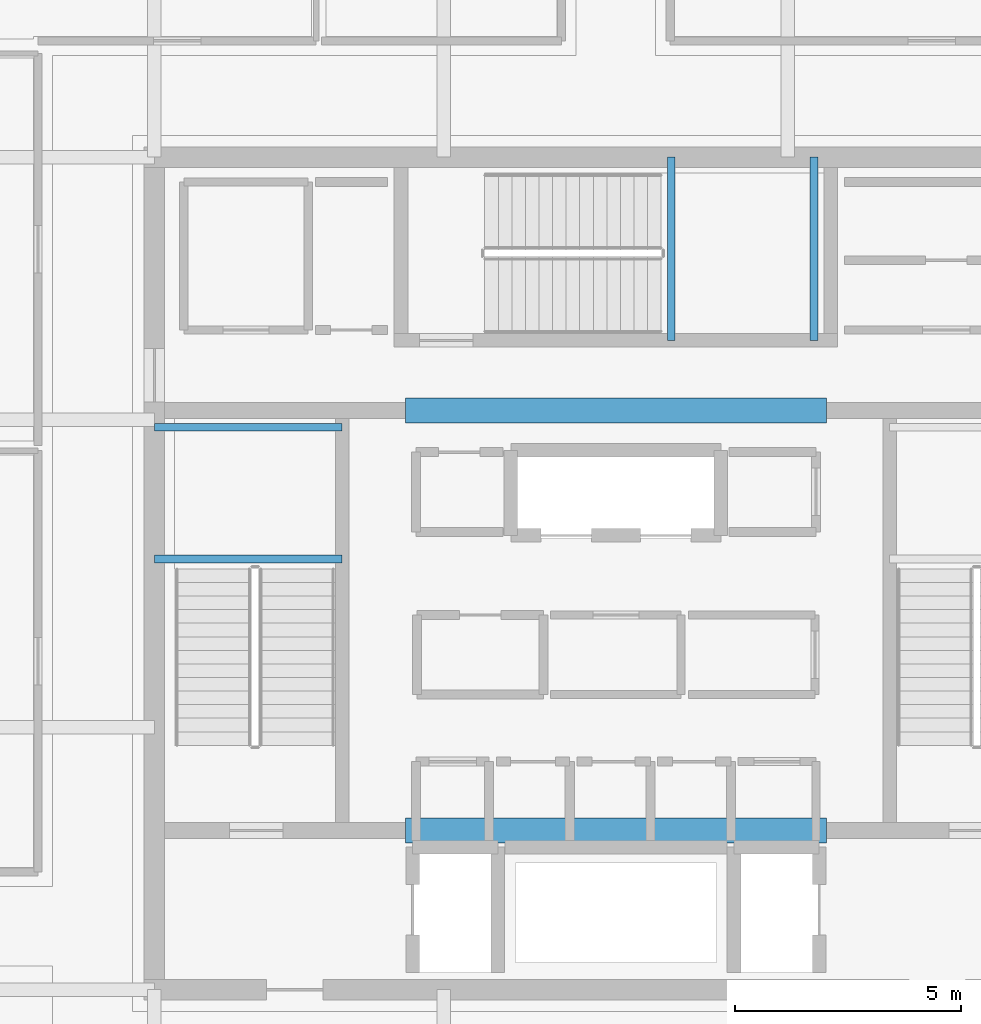
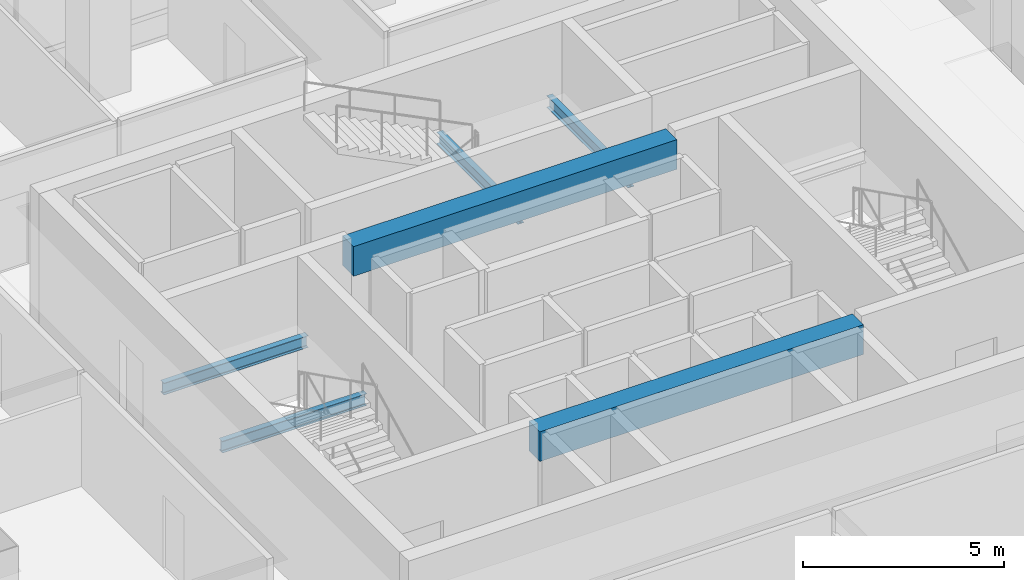
# One storey, part 15 of 43: 6 beams.
"""IFC4 building model written with IfcOpenShell, lengths in metres."""

from ifc_helpers import new_model, si_unit, direction, frame, origin, origin_2d, place, context, subcontext, project, spatial, rectangle, i_section, extrude, material, material_profile, profile_set, type_object, element, save


model = new_model("IFC4")

# Units and contexts
model_context = context("Model", 3, precision=1e-05, world=origin(), true_north=direction((0.0, 1.0)))
body_context = subcontext(model_context, "Body", "Model", "MODEL_VIEW")
ifc_project = project(units=[si_unit("LENGTHUNIT", "METRE"), si_unit("AREAUNIT", "SQUARE_METRE"), si_unit("VOLUMEUNIT", "CUBIC_METRE"), si_unit("PLANEANGLEUNIT", "RADIAN"), si_unit("MASSUNIT", "GRAM", prefix="KILO")], contexts=[model_context])

# Site, building, storey
site_placement = place(None, origin())
site = spatial("IfcSite", under=ifc_project, at=site_placement, CompositionType="ELEMENT")
building_placement = place(site_placement, origin())
building = spatial("IfcBuilding", under=site, at=building_placement, Name="Punatoya Terracotta Tower", CompositionType="ELEMENT")
storey_placement = place(building_placement, frame((0.0, 0.0, 321.60009765625)))
storey = spatial("IfcBuildingStorey", under=building, at=storey_placement, Name="L76", CompositionType="ELEMENT", Elevation=321.60009765625)

# Beams
ifc_material_1 = material(Name="Concrete C50/60", Category="concrete")
ifc_material_profile_1 = material_profile(ifc_material_1, rectangle(XDim=0.550048828125, YDim=0.89990234375, at=origin_2d()))
ifc_profile_set_1 = profile_set([ifc_material_profile_1], Name="Concrete C50/60")
beam_type_1 = type_object("IfcBeamType", Name="BM-RC-900", PredefinedType="LINTEL", material=ifc_profile_set_1)
for number, where, z_axis, x_axis, name in (
    (1, (-4.64990234375, -5.679931640625, 3.5498046875), (1.0, 0.0, 0.0), (0.0, 1.0, 0.0), "L76 Core Coupling Lintel CSW"),
    (2, (-4.64990234375, 3.60009765625, 3.5498046875), (1.0, 0.0, 0.0), (0.0, 1.0, 0.0), "L76 Core Coupling Lintel CNW"),
):
    element("IfcBeam", number, at=place(storey_placement, frame(where, z_axis=z_axis, x_axis=x_axis)), inside=storey, type_object=beam_type_1, Name=name, PredefinedType="LINTEL", context=body_context, shape_type="SweptSolid", body=[
        extrude(rectangle(XDim=0.550048828125, YDim=0.89990234375, at=origin_2d()), origin(), (0.0, 0.0, 1.0), 9.2998046875),
    ])
ifc_material_2 = material(Name="Steel S355", Category="steel")
ifc_material_profile_2 = material_profile(ifc_material_2, i_section(OverallWidth=0.169921875, OverallDepth=0.360107421875, WebThickness=0.008056640625, FlangeThickness=0.0126953125, FilletRadius=0.01806640625, at=origin_2d()))
ifc_profile_set_2 = profile_set([ifc_material_profile_2], Name="Steel S355")
beam_type_2 = type_object("IfcBeamType", Name="BM-SEC-360", PredefinedType="JOIST", material=ifc_profile_set_2)
for number, where, z_axis, x_axis, name in (
    (3, (-10.199951171875, 0.320068359375, 1.719970703125), (1.0, 0.0, 0.0), (0.0, 1.0, 0.0), "BM-L76-ST-1-LD1A"),
    (4, (-10.199951171875, 3.22998046875, 1.719970703125), (1.0, 0.0, 0.0), (0.0, 1.0, 0.0), "BM-L76-ST-1-LD1B"),
):
    element("IfcBeam", number, at=place(storey_placement, frame(where, z_axis=z_axis, x_axis=x_axis)), inside=storey, type_object=beam_type_2, Name=name, PredefinedType="JOIST", context=body_context, shape_type="SweptSolid", body=[
        extrude(i_section(OverallWidth=0.169921875, OverallDepth=0.360107421875, WebThickness=0.008056640625, FlangeThickness=0.0126953125, FilletRadius=0.01806640625, at=origin_2d()), origin(), (0.0, 0.0, 1.0), 4.14990234375),
    ])
for number, where, z_axis, x_axis, name in (
    (5, (1.219970703125, 5.14990234375, 1.719970703125), (0.0, 1.0, 0.0), (-1.0, 0.0, 0.0), "BM-L76-ST-3-LD1A"),
    (6, (4.3798828125, 5.14990234375, 1.719970703125), (0.0, 1.0, 0.0), (-1.0, 0.0, 0.0), "BM-L76-ST-3-LD1B"),
):
    element("IfcBeam", number, at=place(storey_placement, frame(where, z_axis=z_axis, x_axis=x_axis)), inside=storey, type_object=beam_type_2, Name=name, PredefinedType="JOIST", context=body_context, shape_type="SweptSolid", body=[
        extrude(i_section(OverallWidth=0.169921875, OverallDepth=0.360107421875, WebThickness=0.008056640625, FlangeThickness=0.0126953125, FilletRadius=0.01806640625, at=origin_2d()), origin(), (0.0, 0.0, 1.0), 4.050048828125),
    ])

save(model, "model.ifc")
